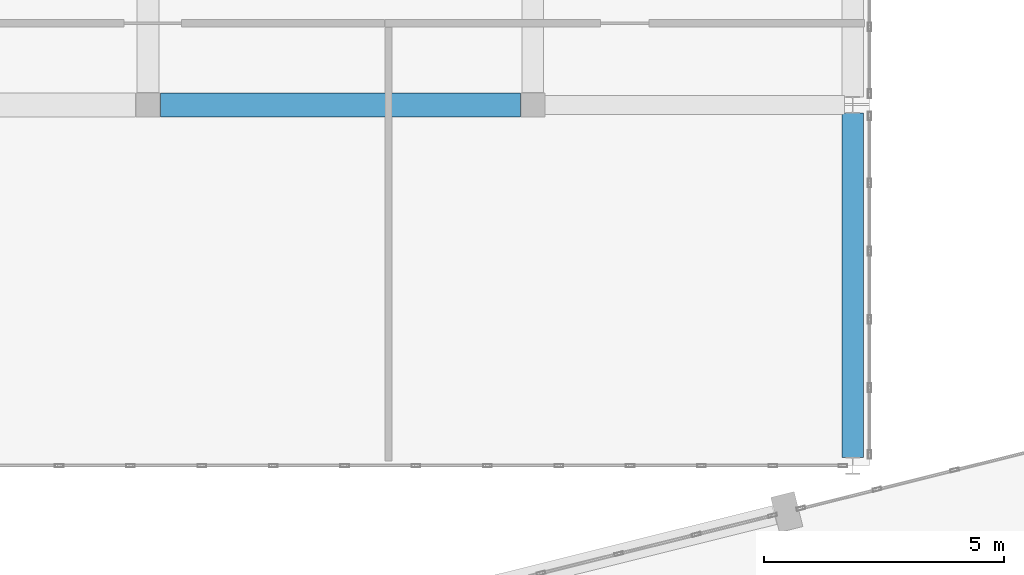
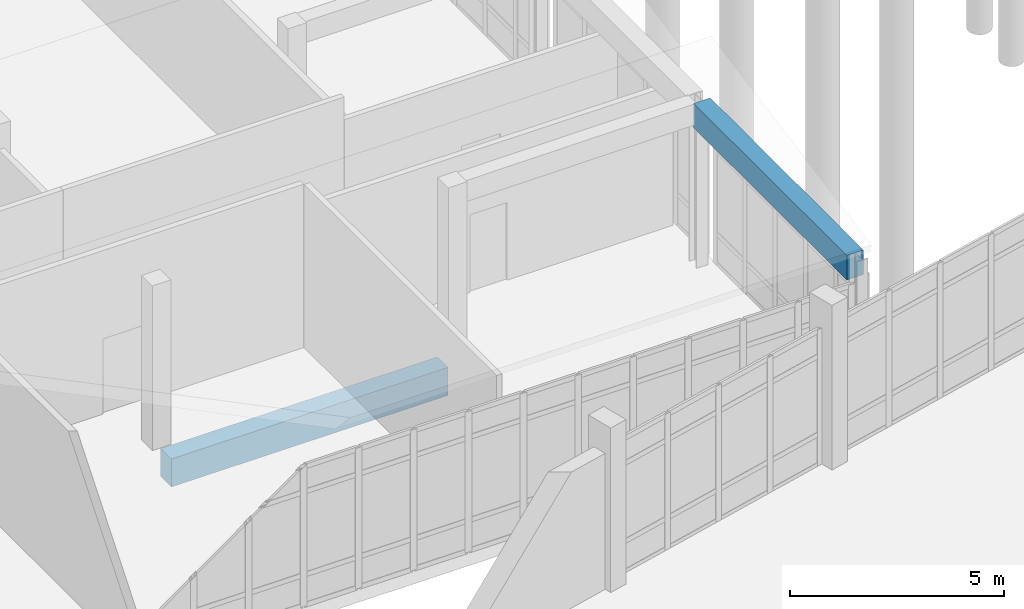
# One storey, part 103 of 173: 2 beams.
"""IFC4 building model written with IfcOpenShell, lengths in metres."""

from ifc_helpers import new_model, si_unit, direction, frame, origin, origin_2d, place, context, subcontext, project, spatial, rectangle, extrude, material, material_profile, profile_set, type_object, element, save


model = new_model("IFC4")

# Units and contexts
model_context = context("Model", 3, precision=1e-05, world=origin(), true_north=direction((0.0, 1.0)))
body_context = subcontext(model_context, "Body", "Model", "MODEL_VIEW")
ifc_project = project(units=[si_unit("LENGTHUNIT", "METRE"), si_unit("AREAUNIT", "SQUARE_METRE"), si_unit("VOLUMEUNIT", "CUBIC_METRE"), si_unit("PLANEANGLEUNIT", "RADIAN"), si_unit("MASSUNIT", "GRAM", prefix="KILO")], contexts=[model_context])

# Site, building, storey
site_placement = place(None, origin())
site = spatial("IfcSite", under=ifc_project, at=site_placement, CompositionType="ELEMENT")
building_placement = place(site_placement, origin())
building = spatial("IfcBuilding", under=site, at=building_placement, Name="Mawjan Specialist Oncology Clinic", CompositionType="ELEMENT")
storey_placement = place(building_placement, origin())
storey = spatial("IfcBuildingStorey", under=building, at=storey_placement, Name="L00", CompositionType="ELEMENT", Elevation=0.0)

# Beams
ifc_material_1 = material(Name="Concrete C40/50", Category="concrete")
ifc_material_profile_1 = material_profile(ifc_material_1, rectangle(XDim=0.449951171875, YDim=0.699951171875, at=origin_2d()), Name="RC BM 450x700", Category="concrete")
ifc_profile_set_1 = profile_set([ifc_material_profile_1], Name="Concrete C40/50")
beam_type_1 = type_object("IfcBeamType", Name="BM-450x700", PredefinedType="BEAM", material=ifc_profile_set_1)
beam_1_placement = place(storey_placement, frame((138.64990234375, 45.965087890625, 4.384765625), z_axis=(0.0, 0.999999962898, -0.000272405329), x_axis=(-1.0, 0.0, 0.0)))
element("IfcBeam", 1, at=beam_1_placement, inside=storey, type_object=beam_type_1, Name="L00 Roof Framing Beam BM-RF-L00-1275", PredefinedType="BEAM", context=body_context, shape_type="SweptSolid", body=[
    extrude(rectangle(XDim=0.449951171875, YDim=0.699951171875, at=origin_2d()), origin(), (0.0, 0.0, 1.0), 7.169921875),
])
ifc_material_2 = material(Name="Concrete C45/55", Category="concrete")
ifc_material_profile_2 = material_profile(ifc_material_2, rectangle(XDim=0.5, YDim=0.800048828125, at=origin_2d()), Name="RC BM 500x800", Category="concrete")
ifc_profile_set_2 = profile_set([ifc_material_profile_2], Name="Concrete C45/55")
beam_type_2 = type_object("IfcBeamType", Name="BM-500x800", PredefinedType="BEAM", material=ifc_profile_set_2)
beam_2_placement = place(storey_placement, frame((124.260009765625, 53.300048828125, -0.820068359375), z_axis=(1.0, 0.0, 0.0), x_axis=(0.0, 1.0, 0.0)))
element("IfcBeam", 2, at=beam_2_placement, inside=storey, type_object=beam_type_2, Name="L00 Collector Beam BM-L00-0002", PredefinedType="BEAM", context=body_context, shape_type="SweptSolid", body=[
    extrude(rectangle(XDim=0.5, YDim=0.800048828125, at=origin_2d()), origin(), (0.0, 0.0, 1.0), 7.47998046875),
])

save(model, "model.ifc")
